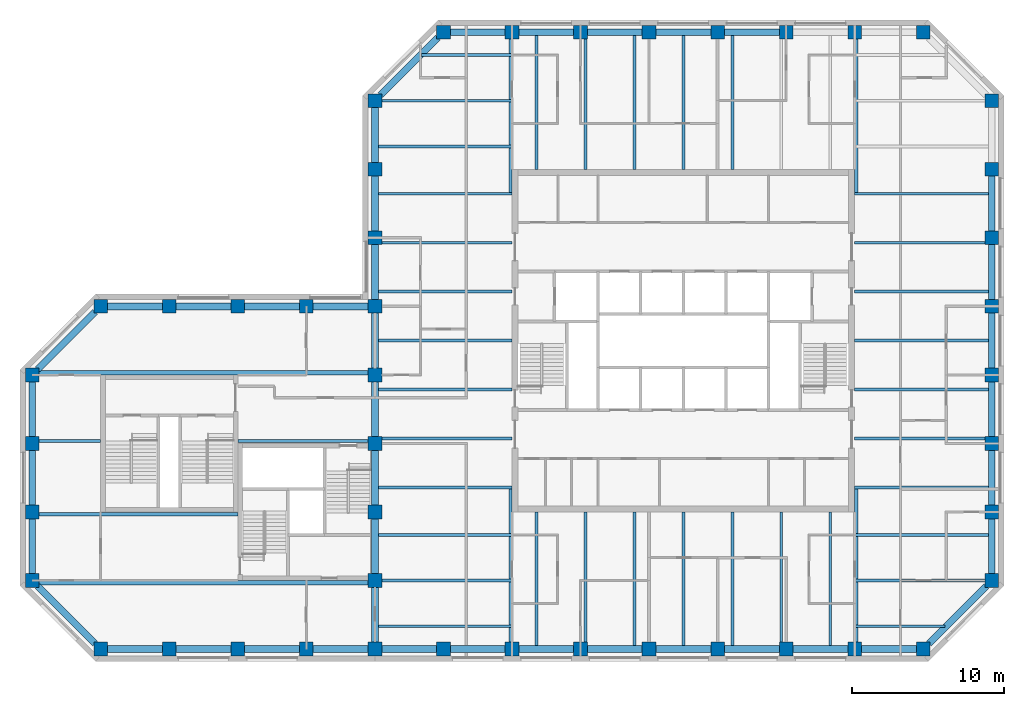
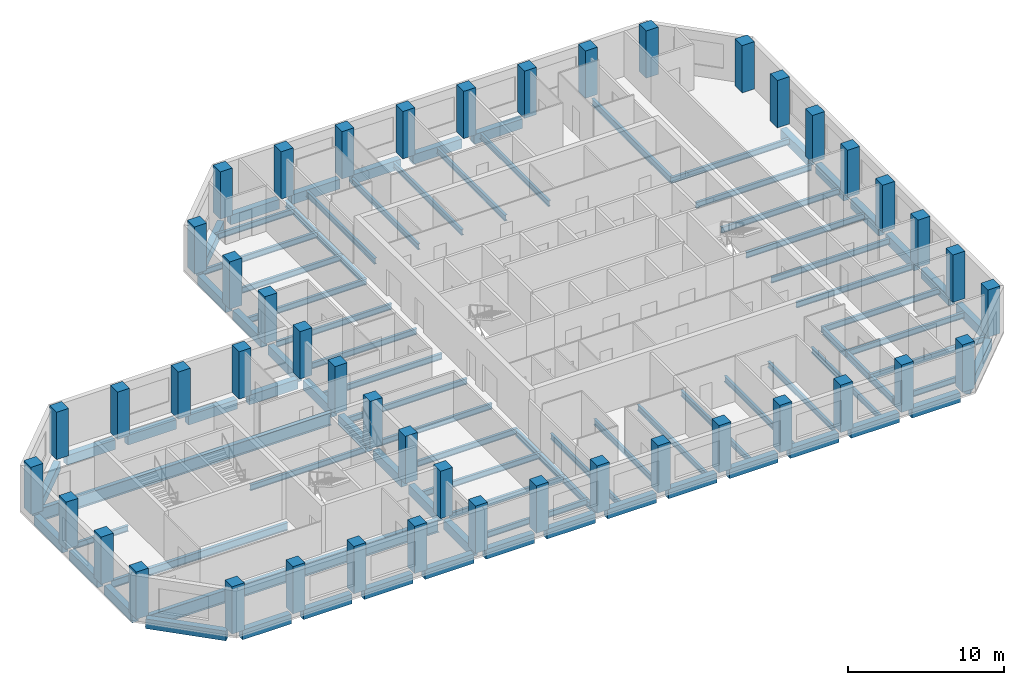
# One storey, part 1 of 10: 86 beams, 45 columns.
"""IFC4 building model written with IfcOpenShell, lengths in metres."""

from ifc_helpers import new_model, si_unit, direction, frame, origin, origin_2d, place, context, subcontext, project, spatial, rectangle, i_section, extrude, material, material_profile, profile_set, type_object, element, save


model = new_model("IFC4")

# Units and contexts
model_context = context("Model", 3, precision=1e-05, world=origin(), true_north=direction((0.0, 1.0)))
body_context = subcontext(model_context, "Body", "Model", "MODEL_VIEW")
ifc_project = project(units=[si_unit("LENGTHUNIT", "METRE"), si_unit("AREAUNIT", "SQUARE_METRE"), si_unit("VOLUMEUNIT", "CUBIC_METRE"), si_unit("PLANEANGLEUNIT", "RADIAN"), si_unit("MASSUNIT", "GRAM", prefix="KILO")], contexts=[model_context])

# Site, building, storey
site_placement = place(None, origin())
site = spatial("IfcSite", under=ifc_project, at=site_placement, CompositionType="ELEMENT")
building_placement = place(site_placement, origin())
building = spatial("IfcBuilding", under=site, at=building_placement, Name="Quoin Convention Tower", CompositionType="ELEMENT")
storey_placement = place(building_placement, frame((0.0, 0.0, 195.800048828125)))
storey = spatial("IfcBuildingStorey", under=building, at=storey_placement, Name="L51", CompositionType="ELEMENT", Elevation=195.800048828125)

# Columns
ifc_material_1 = material(Name="Concrete C50", Category="concrete")
ifc_material_profile_1 = material_profile(ifc_material_1, rectangle(XDim=0.89990234375, YDim=0.89990234375, at=origin_2d()), Name="RC 900x900")
ifc_profile_set_1 = profile_set([ifc_material_profile_1], Name="Concrete C50")
column_type = type_object("IfcColumnType", Name="RC 900x900 C50", PredefinedType="COLUMN", material=ifc_profile_set_1)
for number, where, z_axis, x_axis, name in (
    (1, (18.0, 40.5, 0.0), (0.0, 0.0, 1.0), (1.0, 0.0, 0.0), "col-L51-18000_40500"),
    (2, (22.5, 40.5, 0.0), (0.0, 0.0, 1.0), (1.0, 0.0, 0.0), "col-L51-22500_40500"),
    (3, (27.0, 40.5, 0.0), (0.0, 0.0, 1.0), (1.0, 0.0, 0.0), "col-L51-27000_40500"),
    (4, (31.5, 40.5, 0.0), (0.0, 0.0, 1.0), (1.0, 0.0, 0.0), "col-L51-31500_40500"),
    (5, (36.0, 40.5, 0.0), (0.0, 0.0, 1.0), (1.0, 0.0, 0.0), "col-L51-36000_40500"),
    (6, (40.5, 40.5, 0.0), (0.0, 0.0, 1.0), (1.0, 0.0, 0.0), "col-L51-40500_40500"),
    (7, (45.0, 40.5, 0.0), (0.0, 0.0, 1.0), (1.0, 0.0, 0.0), "col-L51-45000_40500"),
    (8, (49.5, 40.5, 0.0), (0.0, 0.0, 1.0), (1.0, 0.0, 0.0), "col-L51-49500_40500"),
    (9, (54.0, 40.5, 0.0), (0.0, 0.0, 1.0), (1.0, 0.0, 0.0), "col-L51-54000_40500"),
    (10, (58.5, 40.5, 0.0), (0.0, 0.0, 1.0), (1.0, 0.0, 0.0), "col-L51-58500_40500"),
    (11, (63.0, 40.5, 0.0), (0.0, 0.0, 1.0), (1.0, 0.0, 0.0), "col-L51-63000_40500"),
    (12, (67.5, 40.5, 0.0), (0.0, 0.0, 1.0), (1.0, 0.0, 0.0), "col-L51-67500_40500"),
    (13, (72.0, 40.5, 0.0), (0.0, 0.0, 1.0), (1.0, 0.0, 0.0), "col-L51-72000_40500"),
    (14, (13.5, 45.0, 0.0), (0.0, 0.0, 1.0), (1.0, 0.0, 0.0), "col-L51-13500_45000"),
    (15, (36.0, 45.0, 0.0), (0.0, 0.0, 1.0), (1.0, 0.0, 0.0), "web-L51-36000_45000"),
    (16, (76.5, 45.0, 0.0), (0.0, 0.0, 1.0), (1.0, 0.0, 0.0), "col-L51-76500_45000"),
    (17, (13.5, 49.5, 0.0), (0.0, 0.0, 1.0), (1.0, 0.0, 0.0), "col-L51-13500_49500"),
    (18, (36.0, 49.5, 0.0), (0.0, 0.0, 1.0), (1.0, 0.0, 0.0), "web-L51-36000_49500"),
    (19, (76.5, 49.5, 0.0), (0.0, 0.0, 1.0), (1.0, 0.0, 0.0), "col-L51-76500_49500"),
    (20, (13.5, 54.0, 0.0), (0.0, 0.0, 1.0), (1.0, 0.0, 0.0), "col-L51-13500_54000"),
    (21, (36.0, 54.0, 0.0), (0.0, 0.0, 1.0), (1.0, 0.0, 0.0), "web-L51-36000_54000"),
    (22, (76.5, 54.0, 0.0), (0.0, 0.0, 1.0), (1.0, 0.0, 0.0), "col-L51-76500_54000"),
    (23, (13.5, 58.5, 0.0), (0.0, 0.0, 1.0), (1.0, 0.0, 0.0), "col-L51-13500_58500"),
    (24, (36.0, 58.5, 0.0), (0.0, 0.0, 1.0), (1.0, 0.0, 0.0), "web-L51-36000_58500"),
    (25, (76.5, 58.5, 0.0), (0.0, 0.0, 1.0), (1.0, 0.0, 0.0), "col-L51-76500_58500"),
    (26, (18.0, 63.0, 0.0), (0.0, 0.0, 1.0), (1.0, 0.0, 0.0), "col-L51-18000_63000"),
    (27, (22.5, 63.0, 0.0), (0.0, 0.0, 1.0), (1.0, 0.0, 0.0), "col-L51-22500_63000"),
    (28, (27.0, 63.0, 0.0), (0.0, 0.0, 1.0), (1.0, 0.0, 0.0), "col-L51-27000_63000"),
    (29, (31.5, 63.0, 0.0), (0.0, 0.0, 1.0), (1.0, 0.0, 0.0), "col-L51-31500_63000"),
    (30, (36.0, 63.0, 0.0), (0.0, 0.0, 1.0), (1.0, 0.0, 0.0), "col-L51-36000_63000"),
    (31, (76.5, 63.0, 0.0), (0.0, 0.0, 1.0), (1.0, 0.0, 0.0), "col-L51-76500_63000"),
    (32, (36.0, 67.5, 0.0), (0.0, 0.0, 1.0), (1.0, 0.0, 0.0), "col-L51-36000_67500"),
    (33, (76.5, 67.5, 0.0), (0.0, 0.0, 1.0), (1.0, 0.0, 0.0), "col-L51-76500_67500"),
    (34, (36.0, 72.0, 0.0), (0.0, 0.0, 1.0), (1.0, 0.0, 0.0), "col-L51-36000_72000"),
    (35, (76.5, 72.0, 0.0), (0.0, 0.0, 1.0), (1.0, 0.0, 0.0), "col-L51-76500_72000"),
    (36, (36.0, 76.5, 0.0), (0.0, 0.0, 1.0), (1.0, 0.0, 0.0), "col-L51-36000_76500"),
    (37, (76.5, 76.5, 0.0), (0.0, 0.0, 1.0), (1.0, 0.0, 0.0), "col-L51-76500_76500"),
    (38, (40.5, 81.0, 0.0), (0.0, 0.0, 1.0), (1.0, 0.0, 0.0), "col-L51-40500_81000"),
    (39, (45.0, 81.0, 0.0), (0.0, 0.0, 1.0), (1.0, 0.0, 0.0), "col-L51-45000_81000"),
    (40, (49.5, 81.0, 0.0), (0.0, 0.0, 1.0), (1.0, 0.0, 0.0), "col-L51-49500_81000"),
    (41, (54.0, 81.0, 0.0), (0.0, 0.0, 1.0), (1.0, 0.0, 0.0), "col-L51-54000_81000"),
    (42, (58.5, 81.0, 0.0), (0.0, 0.0, 1.0), (1.0, 0.0, 0.0), "col-L51-58500_81000"),
    (43, (63.0, 81.0, 0.0), (0.0, 0.0, 1.0), (1.0, 0.0, 0.0), "col-L51-63000_81000"),
    (44, (67.5, 81.0, 0.0), (0.0, 0.0, 1.0), (1.0, 0.0, 0.0), "col-L51-67500_81000"),
    (45, (72.0, 81.0, 0.0), (0.0, 0.0, 1.0), (1.0, 0.0, 0.0), "col-L51-72000_81000"),
):
    element("IfcColumn", number, at=place(storey_placement, frame(where, z_axis=z_axis, x_axis=x_axis)), inside=storey, type_object=column_type, Name=name, PredefinedType="COLUMN", context=body_context, shape_type="SweptSolid", body=[
        extrude(rectangle(XDim=0.89990234375, YDim=0.89990234375, at=origin_2d()), origin(), (0.0, 0.0, 1.0), 3.699951171875),
    ])

# Beams
ifc_material_2 = material(Name="Steel Grade 300", Category="steel")
ifc_material_profile_2 = material_profile(ifc_material_2, i_section(OverallWidth=0.300048828125, OverallDepth=1.0, WebThickness=0.01611328125, FlangeThickness=0.02001953125, at=origin_2d()), Name="1000WB215")
ifc_profile_set_2 = profile_set([ifc_material_profile_2], Name="Steel Grade 300")
beam_type_1 = type_object("IfcBeamType", Name="1000WB215", PredefinedType="BEAM", material=ifc_profile_set_2)
for number, where, z_axis, x_axis, name in (
    (46, (13.949951171875, 44.85009765625, -0.650146484375), (1.0, 0.0, 0.0), (0.0, 1.0, 0.0), "gir-L51-ST2-1-0"),
    (47, (13.949951171875, 58.64990234375, -0.650146484375), (1.0, 0.0, 0.0), (0.0, 1.0, 0.0), "gir-L51-ST2-4-0"),
):
    element("IfcBeam", number, at=place(storey_placement, frame(where, z_axis=z_axis, x_axis=x_axis)), inside=storey, type_object=beam_type_1, Name=name, PredefinedType="BEAM", context=body_context, shape_type="SweptSolid", body=[
        extrude(i_section(OverallWidth=0.300048828125, OverallDepth=1.0, WebThickness=0.01611328125, FlangeThickness=0.02001953125, at=origin_2d()), origin(), (0.0, 0.0, 1.0), 21.60009765625),
    ])
ifc_material_profile_3 = material_profile(ifc_material_2, i_section(OverallWidth=0.18994140625, OverallDepth=0.4541015625, WebThickness=0.008544921875, FlangeThickness=0.0126953125, FilletRadius=0.011474609375, at=origin_2d()), Name="460UB67.1")
ifc_profile_set_3 = profile_set([ifc_material_profile_3], Name="Steel Grade 300")
beam_type_2 = type_object("IfcBeamType", Name="460UB67.1", PredefinedType="BEAM", material=ifc_profile_set_3)
beam_1_placement = place(storey_placement, frame((36.22509765625, 51.107177734375, -0.376953125), z_axis=(1.0, 0.0, 0.0), x_axis=(0.0, 1.0, 0.0)))
element("IfcBeam", 48, at=beam_1_placement, inside=storey, type_object=beam_type_2, Name="bm-L51-T1W0", PredefinedType="BEAM", context=body_context, shape_type="SweptSolid", body=[
    extrude(i_section(OverallWidth=0.18994140625, OverallDepth=0.4541015625, WebThickness=0.008544921875, FlangeThickness=0.0126953125, FilletRadius=0.011474609375, at=origin_2d()), origin(), (0.0, 0.0, 1.0), 8.77490234375),
])
beam_2_placement = place(storey_placement, frame((36.449951171875, 54.3212890625, -0.376953125), z_axis=(1.0, 0.0, 0.0), x_axis=(0.0, 1.0, 0.0)))
element("IfcBeam", 49, at=beam_2_placement, inside=storey, type_object=beam_type_2, Name="bm-L51-T1W1", PredefinedType="BEAM", context=body_context, shape_type="SweptSolid", body=[
    extrude(i_section(OverallWidth=0.18994140625, OverallDepth=0.4541015625, WebThickness=0.008544921875, FlangeThickness=0.0126953125, FilletRadius=0.011474609375, at=origin_2d()), origin(), (0.0, 0.0, 1.0), 8.550048828125),
])
for number, where, z_axis, x_axis, name in (
    (50, (36.22509765625, 57.53564453125, -0.376953125), (1.0, 0.0, 0.0), (0.0, 1.0, 0.0), "bm-L51-T1W2"),
    (51, (36.22509765625, 60.75, -0.376953125), (1.0, 0.0, 0.0), (0.0, 1.0, 0.0), "bm-L51-T1W3"),
    (52, (36.22509765625, 63.96435546875, -0.376953125), (1.0, 0.0, 0.0), (0.0, 1.0, 0.0), "bm-L51-T1W4"),
):
    element("IfcBeam", number, at=place(storey_placement, frame(where, z_axis=z_axis, x_axis=x_axis)), inside=storey, type_object=beam_type_2, Name=name, PredefinedType="BEAM", context=body_context, shape_type="SweptSolid", body=[
        extrude(i_section(OverallWidth=0.18994140625, OverallDepth=0.4541015625, WebThickness=0.008544921875, FlangeThickness=0.0126953125, FilletRadius=0.011474609375, at=origin_2d()), origin(), (0.0, 0.0, 1.0), 8.77490234375),
    ])
beam_3_placement = place(storey_placement, frame((36.449951171875, 67.1787109375, -0.376953125), z_axis=(1.0, 0.0, 0.0), x_axis=(0.0, 1.0, 0.0)))
element("IfcBeam", 53, at=beam_3_placement, inside=storey, type_object=beam_type_2, Name="bm-L51-T1W5", PredefinedType="BEAM", context=body_context, shape_type="SweptSolid", body=[
    extrude(i_section(OverallWidth=0.18994140625, OverallDepth=0.4541015625, WebThickness=0.008544921875, FlangeThickness=0.0126953125, FilletRadius=0.011474609375, at=origin_2d()), origin(), (0.0, 0.0, 1.0), 8.550048828125),
])
for number, where, z_axis, x_axis, name in (
    (54, (36.22509765625, 70.392822265625, -0.376953125), (1.0, 0.0, 0.0), (0.0, 1.0, 0.0), "bm-L51-T1W6"),
    (55, (67.5, 51.107177734375, -0.376953125), (1.0, 0.0, 0.0), (0.0, 1.0, 0.0), "bm-L51-T1E0"),
):
    element("IfcBeam", number, at=place(storey_placement, frame(where, z_axis=z_axis, x_axis=x_axis)), inside=storey, type_object=beam_type_2, Name=name, PredefinedType="BEAM", context=body_context, shape_type="SweptSolid", body=[
        extrude(i_section(OverallWidth=0.18994140625, OverallDepth=0.4541015625, WebThickness=0.008544921875, FlangeThickness=0.0126953125, FilletRadius=0.011474609375, at=origin_2d()), origin(), (0.0, 0.0, 1.0), 8.77490234375),
    ])
beam_4_placement = place(storey_placement, frame((67.5, 54.3212890625, -0.376953125), z_axis=(1.0, 0.0, 0.0), x_axis=(0.0, 1.0, 0.0)))
element("IfcBeam", 56, at=beam_4_placement, inside=storey, type_object=beam_type_2, Name="bm-L51-T1E1", PredefinedType="BEAM", context=body_context, shape_type="SweptSolid", body=[
    extrude(i_section(OverallWidth=0.18994140625, OverallDepth=0.4541015625, WebThickness=0.008544921875, FlangeThickness=0.0126953125, FilletRadius=0.011474609375, at=origin_2d()), origin(), (0.0, 0.0, 1.0), 8.550048828125),
])
for number, where, z_axis, x_axis, name in (
    (57, (67.5, 57.53564453125, -0.376953125), (1.0, 0.0, 0.0), (0.0, 1.0, 0.0), "bm-L51-T1E2"),
    (58, (67.5, 60.75, -0.376953125), (1.0, 0.0, 0.0), (0.0, 1.0, 0.0), "bm-L51-T1E3"),
    (59, (67.5, 63.96435546875, -0.376953125), (1.0, 0.0, 0.0), (0.0, 1.0, 0.0), "bm-L51-T1E4"),
):
    element("IfcBeam", number, at=place(storey_placement, frame(where, z_axis=z_axis, x_axis=x_axis)), inside=storey, type_object=beam_type_2, Name=name, PredefinedType="BEAM", context=body_context, shape_type="SweptSolid", body=[
        extrude(i_section(OverallWidth=0.18994140625, OverallDepth=0.4541015625, WebThickness=0.008544921875, FlangeThickness=0.0126953125, FilletRadius=0.011474609375, at=origin_2d()), origin(), (0.0, 0.0, 1.0), 8.77490234375),
    ])
beam_5_placement = place(storey_placement, frame((67.5, 67.1787109375, -0.376953125), z_axis=(1.0, 0.0, 0.0), x_axis=(0.0, 1.0, 0.0)))
element("IfcBeam", 60, at=beam_5_placement, inside=storey, type_object=beam_type_2, Name="bm-L51-T1E5", PredefinedType="BEAM", context=body_context, shape_type="SweptSolid", body=[
    extrude(i_section(OverallWidth=0.18994140625, OverallDepth=0.4541015625, WebThickness=0.008544921875, FlangeThickness=0.0126953125, FilletRadius=0.011474609375, at=origin_2d()), origin(), (0.0, 0.0, 1.0), 8.550048828125),
])
for number, where, z_axis, x_axis, name in (
    (61, (67.5, 70.392822265625, -0.376953125), (1.0, 0.0, 0.0), (0.0, 1.0, 0.0), "bm-L51-T1E6"),
    (62, (46.607177734375, 40.72509765625, -0.376953125), (0.0, 1.0, 0.0), (-1.0, 0.0, 0.0), "bm-L51-T1S0"),
):
    element("IfcBeam", number, at=place(storey_placement, frame(where, z_axis=z_axis, x_axis=x_axis)), inside=storey, type_object=beam_type_2, Name=name, PredefinedType="BEAM", context=body_context, shape_type="SweptSolid", body=[
        extrude(i_section(OverallWidth=0.18994140625, OverallDepth=0.4541015625, WebThickness=0.008544921875, FlangeThickness=0.0126953125, FilletRadius=0.011474609375, at=origin_2d()), origin(), (0.0, 0.0, 1.0), 8.77490234375),
    ])
beam_6_placement = place(storey_placement, frame((49.8212890625, 40.949951171875, -0.376953125), z_axis=(0.0, 1.0, 0.0), x_axis=(-1.0, 0.0, 0.0)))
element("IfcBeam", 63, at=beam_6_placement, inside=storey, type_object=beam_type_2, Name="bm-L51-T1S1", PredefinedType="BEAM", context=body_context, shape_type="SweptSolid", body=[
    extrude(i_section(OverallWidth=0.18994140625, OverallDepth=0.4541015625, WebThickness=0.008544921875, FlangeThickness=0.0126953125, FilletRadius=0.011474609375, at=origin_2d()), origin(), (0.0, 0.0, 1.0), 8.550048828125),
])
for number, where, z_axis, x_axis, name in (
    (64, (53.03564453125, 40.72509765625, -0.376953125), (0.0, 1.0, 0.0), (-1.0, 0.0, 0.0), "bm-L51-T1S2"),
    (65, (56.25, 40.72509765625, -0.376953125), (0.0, 1.0, 0.0), (-1.0, 0.0, 0.0), "bm-L51-T1S3"),
    (66, (59.46435546875, 40.72509765625, -0.376953125), (0.0, 1.0, 0.0), (-1.0, 0.0, 0.0), "bm-L51-T1S4"),
):
    element("IfcBeam", number, at=place(storey_placement, frame(where, z_axis=z_axis, x_axis=x_axis)), inside=storey, type_object=beam_type_2, Name=name, PredefinedType="BEAM", context=body_context, shape_type="SweptSolid", body=[
        extrude(i_section(OverallWidth=0.18994140625, OverallDepth=0.4541015625, WebThickness=0.008544921875, FlangeThickness=0.0126953125, FilletRadius=0.011474609375, at=origin_2d()), origin(), (0.0, 0.0, 1.0), 8.77490234375),
    ])
beam_7_placement = place(storey_placement, frame((62.6787109375, 40.949951171875, -0.376953125), z_axis=(0.0, 1.0, 0.0), x_axis=(-1.0, 0.0, 0.0)))
element("IfcBeam", 67, at=beam_7_placement, inside=storey, type_object=beam_type_2, Name="bm-L51-T1S5", PredefinedType="BEAM", context=body_context, shape_type="SweptSolid", body=[
    extrude(i_section(OverallWidth=0.18994140625, OverallDepth=0.4541015625, WebThickness=0.008544921875, FlangeThickness=0.0126953125, FilletRadius=0.011474609375, at=origin_2d()), origin(), (0.0, 0.0, 1.0), 8.550048828125),
])
for number, where, z_axis, x_axis, name in (
    (68, (65.892822265625, 40.72509765625, -0.376953125), (0.0, 1.0, 0.0), (-1.0, 0.0, 0.0), "bm-L51-T1S6"),
    (69, (46.607177734375, 72.0, -0.376953125), (0.0, 1.0, 0.0), (-1.0, 0.0, 0.0), "bm-L51-T1N0"),
):
    element("IfcBeam", number, at=place(storey_placement, frame(where, z_axis=z_axis, x_axis=x_axis)), inside=storey, type_object=beam_type_2, Name=name, PredefinedType="BEAM", context=body_context, shape_type="SweptSolid", body=[
        extrude(i_section(OverallWidth=0.18994140625, OverallDepth=0.4541015625, WebThickness=0.008544921875, FlangeThickness=0.0126953125, FilletRadius=0.011474609375, at=origin_2d()), origin(), (0.0, 0.0, 1.0), 8.77490234375),
    ])
beam_8_placement = place(storey_placement, frame((49.8212890625, 72.0, -0.376953125), z_axis=(0.0, 1.0, 0.0), x_axis=(-1.0, 0.0, 0.0)))
element("IfcBeam", 70, at=beam_8_placement, inside=storey, type_object=beam_type_2, Name="bm-L51-T1N1", PredefinedType="BEAM", context=body_context, shape_type="SweptSolid", body=[
    extrude(i_section(OverallWidth=0.18994140625, OverallDepth=0.4541015625, WebThickness=0.008544921875, FlangeThickness=0.0126953125, FilletRadius=0.011474609375, at=origin_2d()), origin(), (0.0, 0.0, 1.0), 8.550048828125),
])
for number, where, z_axis, x_axis, name in (
    (71, (53.03564453125, 72.0, -0.376953125), (0.0, 1.0, 0.0), (-1.0, 0.0, 0.0), "bm-L51-T1N2"),
    (72, (56.25, 72.0, -0.376953125), (0.0, 1.0, 0.0), (-1.0, 0.0, 0.0), "bm-L51-T1N3"),
    (73, (59.46435546875, 72.0, -0.376953125), (0.0, 1.0, 0.0), (-1.0, 0.0, 0.0), "bm-L51-T1N4"),
    (74, (36.22509765625, 42.0, -0.376953125), (1.0, 0.0, 0.0), (0.0, 1.0, 0.0), "bm-L51-T1SW0"),
):
    element("IfcBeam", number, at=place(storey_placement, frame(where, z_axis=z_axis, x_axis=x_axis)), inside=storey, type_object=beam_type_2, Name=name, PredefinedType="BEAM", context=body_context, shape_type="SweptSolid", body=[
        extrude(i_section(OverallWidth=0.18994140625, OverallDepth=0.4541015625, WebThickness=0.008544921875, FlangeThickness=0.0126953125, FilletRadius=0.011474609375, at=origin_2d()), origin(), (0.0, 0.0, 1.0), 8.77490234375),
    ])
beam_9_placement = place(storey_placement, frame((36.449951171875, 45.0, -0.376953125), z_axis=(1.0, 0.0, 0.0), x_axis=(0.0, 1.0, 0.0)))
element("IfcBeam", 75, at=beam_9_placement, inside=storey, type_object=beam_type_2, Name="bm-L51-T1SW1", PredefinedType="BEAM", context=body_context, shape_type="SweptSolid", body=[
    extrude(i_section(OverallWidth=0.18994140625, OverallDepth=0.4541015625, WebThickness=0.008544921875, FlangeThickness=0.0126953125, FilletRadius=0.011474609375, at=origin_2d()), origin(), (0.0, 0.0, 1.0), 8.550048828125),
])
beam_10_placement = place(storey_placement, frame((36.22509765625, 48.0, -0.376953125), z_axis=(1.0, 0.0, 0.0), x_axis=(0.0, 1.0, 0.0)))
element("IfcBeam", 76, at=beam_10_placement, inside=storey, type_object=beam_type_2, Name="bm-L51-T1SW2", PredefinedType="BEAM", context=body_context, shape_type="SweptSolid", body=[
    extrude(i_section(OverallWidth=0.18994140625, OverallDepth=0.4541015625, WebThickness=0.008544921875, FlangeThickness=0.0126953125, FilletRadius=0.011474609375, at=origin_2d()), origin(), (0.0, 0.0, 1.0), 8.77490234375),
])
beam_11_placement = place(storey_placement, frame((67.5, 42.0, -0.376953125), z_axis=(1.0, 0.0, 0.0), x_axis=(0.0, 1.0, 0.0)))
element("IfcBeam", 77, at=beam_11_placement, inside=storey, type_object=beam_type_2, Name="bm-L51-T1SE0", PredefinedType="BEAM", context=body_context, shape_type="SweptSolid", body=[
    extrude(i_section(OverallWidth=0.18994140625, OverallDepth=0.4541015625, WebThickness=0.008544921875, FlangeThickness=0.0126953125, FilletRadius=0.011474609375, at=origin_2d()), origin(), (0.0, 0.0, 1.0), 5.935791015625),
])
beam_12_placement = place(storey_placement, frame((67.5, 45.0, -0.376953125), z_axis=(1.0, 0.0, 0.0), x_axis=(0.0, 1.0, 0.0)))
element("IfcBeam", 78, at=beam_12_placement, inside=storey, type_object=beam_type_2, Name="bm-L51-T1SE1", PredefinedType="BEAM", context=body_context, shape_type="SweptSolid", body=[
    extrude(i_section(OverallWidth=0.18994140625, OverallDepth=0.4541015625, WebThickness=0.008544921875, FlangeThickness=0.0126953125, FilletRadius=0.011474609375, at=origin_2d()), origin(), (0.0, 0.0, 1.0), 8.550048828125),
])
beam_13_placement = place(storey_placement, frame((67.5, 48.0, -0.376953125), z_axis=(1.0, 0.0, 0.0), x_axis=(0.0, 1.0, 0.0)))
element("IfcBeam", 79, at=beam_13_placement, inside=storey, type_object=beam_type_2, Name="bm-L51-T1SE2", PredefinedType="BEAM", context=body_context, shape_type="SweptSolid", body=[
    extrude(i_section(OverallWidth=0.18994140625, OverallDepth=0.4541015625, WebThickness=0.008544921875, FlangeThickness=0.0126953125, FilletRadius=0.011474609375, at=origin_2d()), origin(), (0.0, 0.0, 1.0), 8.77490234375),
])
beam_14_placement = place(storey_placement, frame((39.064208984375, 79.5, -0.376953125), z_axis=(1.0, 0.0, 0.0), x_axis=(0.0, 1.0, 0.0)))
element("IfcBeam", 80, at=beam_14_placement, inside=storey, type_object=beam_type_2, Name="bm-L51-T1NW0", PredefinedType="BEAM", context=body_context, shape_type="SweptSolid", body=[
    extrude(i_section(OverallWidth=0.18994140625, OverallDepth=0.4541015625, WebThickness=0.008544921875, FlangeThickness=0.0126953125, FilletRadius=0.011474609375, at=origin_2d()), origin(), (0.0, 0.0, 1.0), 5.935791015625),
])
beam_15_placement = place(storey_placement, frame((36.449951171875, 76.5, -0.376953125), z_axis=(1.0, 0.0, 0.0), x_axis=(0.0, 1.0, 0.0)))
element("IfcBeam", 81, at=beam_15_placement, inside=storey, type_object=beam_type_2, Name="bm-L51-T1NW1", PredefinedType="BEAM", context=body_context, shape_type="SweptSolid", body=[
    extrude(i_section(OverallWidth=0.18994140625, OverallDepth=0.4541015625, WebThickness=0.008544921875, FlangeThickness=0.0126953125, FilletRadius=0.011474609375, at=origin_2d()), origin(), (0.0, 0.0, 1.0), 8.550048828125),
])
beam_16_placement = place(storey_placement, frame((36.22509765625, 73.5, -0.376953125), z_axis=(1.0, 0.0, 0.0), x_axis=(0.0, 1.0, 0.0)))
element("IfcBeam", 82, at=beam_16_placement, inside=storey, type_object=beam_type_2, Name="bm-L51-T1NW2", PredefinedType="BEAM", context=body_context, shape_type="SweptSolid", body=[
    extrude(i_section(OverallWidth=0.18994140625, OverallDepth=0.4541015625, WebThickness=0.008544921875, FlangeThickness=0.0126953125, FilletRadius=0.011474609375, at=origin_2d()), origin(), (0.0, 0.0, 1.0), 8.77490234375),
])
beam_17_placement = place(storey_placement, frame((13.949951171875, 54.14990234375, -0.376953125), z_axis=(1.0, 0.0, 0.0), x_axis=(0.0, 1.0, 0.0)))
element("IfcBeam", 83, at=beam_17_placement, inside=storey, type_object=beam_type_2, Name="gir-L51-ST2-3-0", PredefinedType="BEAM", context=body_context, shape_type="SweptSolid", body=[
    extrude(i_section(OverallWidth=0.18994140625, OverallDepth=0.4541015625, WebThickness=0.008544921875, FlangeThickness=0.0126953125, FilletRadius=0.011474609375, at=origin_2d()), origin(), (0.0, 0.0, 1.0), 4.050048828125),
])
beam_18_placement = place(storey_placement, frame((27.0, 54.14990234375, -0.376953125), z_axis=(1.0, 0.0, 0.0), x_axis=(0.0, 1.0, 0.0)))
element("IfcBeam", 84, at=beam_18_placement, inside=storey, type_object=beam_type_2, Name="gir-L51-ST2-3-1", PredefinedType="BEAM", context=body_context, shape_type="SweptSolid", body=[
    extrude(i_section(OverallWidth=0.18994140625, OverallDepth=0.4541015625, WebThickness=0.008544921875, FlangeThickness=0.0126953125, FilletRadius=0.011474609375, at=origin_2d()), origin(), (0.0, 0.0, 1.0), 8.550048828125),
])
ifc_material_profile_4 = material_profile(ifc_material_2, i_section(OverallWidth=0.208984375, OverallDepth=0.528076171875, WebThickness=0.009521484375, FlangeThickness=0.01318359375, FilletRadius=0.013916015625, at=origin_2d()), Name="530UB82.0")
ifc_profile_set_4 = profile_set([ifc_material_profile_4], Name="Steel Grade 300")
beam_type_3 = type_object("IfcBeamType", Name="530UB82.0", PredefinedType="BEAM", material=ifc_profile_set_4)
for number, where, z_axis, x_axis, name in (
    (85, (44.904541015625, 40.949951171875, -0.4140625), (0.0, 1.0, 0.0), (-1.0, 0.0, 0.0), "gir-L51-T1SW"),
    (86, (67.595458984375, 40.949951171875, -0.4140625), (0.0, 1.0, 0.0), (-1.0, 0.0, 0.0), "gir-L51-T1SE"),
    (87, (44.904541015625, 80.550048828125, -0.4140625), (0.0, -1.0, 0.0), (1.0, 0.0, 0.0), "gir-L51-T1NW"),
    (88, (67.595458984375, 80.550048828125, -0.4140625), (0.0, -1.0, 0.0), (1.0, 0.0, 0.0), "gir-L51-T1NE"),
):
    element("IfcBeam", number, at=place(storey_placement, frame(where, z_axis=z_axis, x_axis=x_axis)), inside=storey, type_object=beam_type_3, Name=name, PredefinedType="BEAM", context=body_context, shape_type="SweptSolid", body=[
        extrude(i_section(OverallWidth=0.208984375, OverallDepth=0.528076171875, WebThickness=0.009521484375, FlangeThickness=0.01318359375, FilletRadius=0.013916015625, at=origin_2d()), origin(), (0.0, 0.0, 1.0), 10.062255859375),
    ])
ifc_material_profile_5 = material_profile(ifc_material_2, i_section(OverallWidth=0.22802734375, OverallDepth=0.60205078125, WebThickness=0.010498046875, FlangeThickness=0.014892578125, FilletRadius=0.013916015625, at=origin_2d()), Name="610UB101")
ifc_profile_set_5 = profile_set([ifc_material_profile_5], Name="Steel Grade 300")
beam_type_4 = type_object("IfcBeamType", Name="610UB101", PredefinedType="BEAM", material=ifc_profile_set_5)
beam_19_placement = place(storey_placement, frame((13.949951171875, 49.35009765625, -0.450927734375), z_axis=(1.0, 0.0, 0.0), x_axis=(0.0, 1.0, 0.0)))
element("IfcBeam", 89, at=beam_19_placement, inside=storey, type_object=beam_type_4, Name="gir-L51-ST2-2-0", PredefinedType="BEAM", context=body_context, shape_type="SweptSolid", body=[
    extrude(i_section(OverallWidth=0.22802734375, OverallDepth=0.60205078125, WebThickness=0.010498046875, FlangeThickness=0.014892578125, FilletRadius=0.013916015625, at=origin_2d()), origin(), (0.0, 0.0, 1.0), 13.050048828125),
])
ifc_material_profile_6 = material_profile(ifc_material_1, rectangle(XDim=0.449951171875, YDim=0.75, at=origin_2d()), Name="RC 450x750")
ifc_profile_set_6 = profile_set([ifc_material_profile_6], Name="Concrete C50")
beam_type_5 = type_object("IfcBeamType", Name="RC 450x750 C50", PredefinedType="SPANDREL", material=ifc_profile_set_6)
for number, where, z_axis, x_axis, name in (
    (90, (36.449951171875, 40.5, -0.525146484375), (1.0, 0.0, 0.0), (0.0, 1.0, 0.0), "spd-L51-36000_40500-40500_40500"),
    (91, (40.949951171875, 40.5, -0.525146484375), (1.0, 0.0, 0.0), (0.0, 1.0, 0.0), "spd-L51-40500_40500-45000_40500"),
    (92, (45.449951171875, 40.5, -0.525146484375), (1.0, 0.0, 0.0), (0.0, 1.0, 0.0), "spd-L51-45000_40500-49500_40500"),
    (93, (49.949951171875, 40.5, -0.525146484375), (1.0, 0.0, 0.0), (0.0, 1.0, 0.0), "spd-L51-49500_40500-54000_40500"),
    (94, (54.449951171875, 40.5, -0.525146484375), (1.0, 0.0, 0.0), (0.0, 1.0, 0.0), "spd-L51-54000_40500-58500_40500"),
    (95, (58.949951171875, 40.5, -0.525146484375), (1.0, 0.0, 0.0), (0.0, 1.0, 0.0), "spd-L51-58500_40500-63000_40500"),
    (96, (63.449951171875, 40.5, -0.525146484375), (1.0, 0.0, 0.0), (0.0, 1.0, 0.0), "spd-L51-63000_40500-67500_40500"),
    (97, (67.949951171875, 40.5, -0.525146484375), (1.0, 0.0, 0.0), (0.0, 1.0, 0.0), "spd-L51-67500_40500-72000_40500"),
):
    element("IfcBeam", number, at=place(storey_placement, frame(where, z_axis=z_axis, x_axis=x_axis)), inside=storey, type_object=beam_type_5, Name=name, PredefinedType="SPANDREL", context=body_context, shape_type="SweptSolid", body=[
        extrude(rectangle(XDim=0.449951171875, YDim=0.75, at=origin_2d()), origin(), (0.0, 0.0, 1.0), 3.60009765625),
    ])
beam_20_placement = place(storey_placement, frame((72.364990234375, 40.864990234375, -0.525146484375), z_axis=(0.707106781187, 0.707106781187, 0.0), x_axis=(-0.707106781187, 0.707106781187, 0.0)))
element("IfcBeam", 98, at=beam_20_placement, inside=storey, type_object=beam_type_5, Name="spd-L51-72000_40500-76500_45000", PredefinedType="SPANDREL", context=body_context, shape_type="SweptSolid", body=[
    extrude(rectangle(XDim=0.449951171875, YDim=0.75, at=origin_2d()), origin(), (0.0, 0.0, 1.0), 5.33154296875),
])
for number, where, z_axis, x_axis, name in (
    (99, (76.5, 45.449951171875, -0.525146484375), (0.0, 1.0, 0.0), (-1.0, 0.0, 0.0), "spd-L51-76500_45000-76500_49500"),
    (100, (76.5, 49.949951171875, -0.525146484375), (0.0, 1.0, 0.0), (-1.0, 0.0, 0.0), "spd-L51-76500_49500-76500_54000"),
    (101, (76.5, 54.449951171875, -0.525146484375), (0.0, 1.0, 0.0), (-1.0, 0.0, 0.0), "spd-L51-76500_54000-76500_58500"),
    (102, (76.5, 58.949951171875, -0.525146484375), (0.0, 1.0, 0.0), (-1.0, 0.0, 0.0), "spd-L51-76500_58500-76500_63000"),
    (103, (76.5, 63.449951171875, -0.525146484375), (0.0, 1.0, 0.0), (-1.0, 0.0, 0.0), "spd-L51-76500_63000-76500_67500"),
    (104, (76.5, 67.949951171875, -0.525146484375), (0.0, 1.0, 0.0), (-1.0, 0.0, 0.0), "spd-L51-76500_67500-76500_72000"),
    (105, (62.550048828125, 81.0, -0.525146484375), (-1.0, 0.0, 0.0), (0.0, -1.0, 0.0), "spd-L51-63000_81000-58500_81000"),
    (106, (58.050048828125, 81.0, -0.525146484375), (-1.0, 0.0, 0.0), (0.0, -1.0, 0.0), "spd-L51-58500_81000-54000_81000"),
    (107, (53.550048828125, 81.0, -0.525146484375), (-1.0, 0.0, 0.0), (0.0, -1.0, 0.0), "spd-L51-54000_81000-49500_81000"),
    (108, (49.050048828125, 81.0, -0.525146484375), (-1.0, 0.0, 0.0), (0.0, -1.0, 0.0), "spd-L51-49500_81000-45000_81000"),
    (109, (44.550048828125, 81.0, -0.525146484375), (-1.0, 0.0, 0.0), (0.0, -1.0, 0.0), "spd-L51-45000_81000-40500_81000"),
):
    element("IfcBeam", number, at=place(storey_placement, frame(where, z_axis=z_axis, x_axis=x_axis)), inside=storey, type_object=beam_type_5, Name=name, PredefinedType="SPANDREL", context=body_context, shape_type="SweptSolid", body=[
        extrude(rectangle(XDim=0.449951171875, YDim=0.75, at=origin_2d()), origin(), (0.0, 0.0, 1.0), 3.60009765625),
    ])
beam_21_placement = place(storey_placement, frame((40.135009765625, 80.635009765625, -0.525146484375), z_axis=(-0.707106781187, -0.707106781187, 0.0), x_axis=(0.707106781187, -0.707106781187, 0.0)))
element("IfcBeam", 110, at=beam_21_placement, inside=storey, type_object=beam_type_5, Name="spd-L51-40500_81000-36000_76500", PredefinedType="SPANDREL", context=body_context, shape_type="SweptSolid", body=[
    extrude(rectangle(XDim=0.449951171875, YDim=0.75, at=origin_2d()), origin(), (0.0, 0.0, 1.0), 5.33154296875),
])
for number, where, z_axis, x_axis, name in (
    (111, (36.0, 76.050048828125, -0.525146484375), (0.0, -1.0, 0.0), (1.0, 0.0, 0.0), "spd-L51-36000_76500-36000_72000"),
    (112, (36.0, 71.550048828125, -0.525146484375), (0.0, -1.0, 0.0), (1.0, 0.0, 0.0), "spd-L51-36000_72000-36000_67500"),
    (113, (36.0, 67.050048828125, -0.525146484375), (0.0, -1.0, 0.0), (1.0, 0.0, 0.0), "spd-L51-36000_67500-36000_63000"),
    (114, (35.550048828125, 63.0, -0.525146484375), (-1.0, 0.0, 0.0), (0.0, -1.0, 0.0), "spd-L51-36000_63000-31500_63000"),
    (115, (31.050048828125, 63.0, -0.525146484375), (-1.0, 0.0, 0.0), (0.0, -1.0, 0.0), "spd-L51-31500_63000-27000_63000"),
    (116, (26.550048828125, 63.0, -0.525146484375), (-1.0, 0.0, 0.0), (0.0, -1.0, 0.0), "spd-L51-27000_63000-22500_63000"),
    (117, (22.050048828125, 63.0, -0.525146484375), (-1.0, 0.0, 0.0), (0.0, -1.0, 0.0), "spd-L51-22500_63000-18000_63000"),
):
    element("IfcBeam", number, at=place(storey_placement, frame(where, z_axis=z_axis, x_axis=x_axis)), inside=storey, type_object=beam_type_5, Name=name, PredefinedType="SPANDREL", context=body_context, shape_type="SweptSolid", body=[
        extrude(rectangle(XDim=0.449951171875, YDim=0.75, at=origin_2d()), origin(), (0.0, 0.0, 1.0), 3.60009765625),
    ])
beam_22_placement = place(storey_placement, frame((17.635009765625, 62.635009765625, -0.525146484375), z_axis=(-0.707106781187, -0.707106781187, 0.0), x_axis=(0.707106781187, -0.707106781187, 0.0)))
element("IfcBeam", 118, at=beam_22_placement, inside=storey, type_object=beam_type_5, Name="spd-L51-18000_63000-13500_58500", PredefinedType="SPANDREL", context=body_context, shape_type="SweptSolid", body=[
    extrude(rectangle(XDim=0.449951171875, YDim=0.75, at=origin_2d()), origin(), (0.0, 0.0, 1.0), 5.33154296875),
])
for number, where, z_axis, x_axis, name in (
    (119, (13.5, 58.050048828125, -0.525146484375), (0.0, -1.0, 0.0), (1.0, 0.0, 0.0), "spd-L51-13500_58500-13500_54000"),
    (120, (13.5, 53.550048828125, -0.525146484375), (0.0, -1.0, 0.0), (1.0, 0.0, 0.0), "spd-L51-13500_54000-13500_49500"),
    (121, (13.5, 49.050048828125, -0.525146484375), (0.0, -1.0, 0.0), (1.0, 0.0, 0.0), "spd-L51-13500_49500-13500_45000"),
):
    element("IfcBeam", number, at=place(storey_placement, frame(where, z_axis=z_axis, x_axis=x_axis)), inside=storey, type_object=beam_type_5, Name=name, PredefinedType="SPANDREL", context=body_context, shape_type="SweptSolid", body=[
        extrude(rectangle(XDim=0.449951171875, YDim=0.75, at=origin_2d()), origin(), (0.0, 0.0, 1.0), 3.60009765625),
    ])
beam_23_placement = place(storey_placement, frame((13.864990234375, 44.635009765625, -0.525146484375), z_axis=(0.707106781187, -0.707106781187, 0.0), x_axis=(0.707106781187, 0.707106781187, 0.0)))
element("IfcBeam", 122, at=beam_23_placement, inside=storey, type_object=beam_type_5, Name="spd-L51-13500_45000-18000_40500", PredefinedType="SPANDREL", context=body_context, shape_type="SweptSolid", body=[
    extrude(rectangle(XDim=0.449951171875, YDim=0.75, at=origin_2d()), origin(), (0.0, 0.0, 1.0), 5.33154296875),
])
for number, where, z_axis, x_axis, name in (
    (123, (18.449951171875, 40.5, -0.525146484375), (1.0, 0.0, 0.0), (0.0, 1.0, 0.0), "spd-L51-18000_40500-22500_40500"),
    (124, (22.949951171875, 40.5, -0.525146484375), (1.0, 0.0, 0.0), (0.0, 1.0, 0.0), "spd-L51-22500_40500-27000_40500"),
    (125, (27.449951171875, 40.5, -0.525146484375), (1.0, 0.0, 0.0), (0.0, 1.0, 0.0), "spd-L51-27000_40500-31500_40500"),
    (126, (31.949951171875, 40.5, -0.525146484375), (1.0, 0.0, 0.0), (0.0, 1.0, 0.0), "spd-L51-31500_40500-36000_40500"),
    (127, (36.0, 40.949951171875, -0.525146484375), (0.0, 1.0, 0.0), (-1.0, 0.0, 0.0), "spd-L51-36000_40500-36000_45000"),
    (128, (36.0, 45.449951171875, -0.525146484375), (0.0, 1.0, 0.0), (-1.0, 0.0, 0.0), "spd-L51-36000_45000-36000_49500"),
    (129, (36.0, 49.949951171875, -0.525146484375), (0.0, 1.0, 0.0), (-1.0, 0.0, 0.0), "spd-L51-36000_49500-36000_54000"),
    (130, (36.0, 54.449951171875, -0.525146484375), (0.0, 1.0, 0.0), (-1.0, 0.0, 0.0), "spd-L51-36000_54000-36000_58500"),
    (131, (36.0, 58.949951171875, -0.525146484375), (0.0, 1.0, 0.0), (-1.0, 0.0, 0.0), "spd-L51-36000_58500-36000_63000"),
):
    element("IfcBeam", number, at=place(storey_placement, frame(where, z_axis=z_axis, x_axis=x_axis)), inside=storey, type_object=beam_type_5, Name=name, PredefinedType="SPANDREL", context=body_context, shape_type="SweptSolid", body=[
        extrude(rectangle(XDim=0.449951171875, YDim=0.75, at=origin_2d()), origin(), (0.0, 0.0, 1.0), 3.60009765625),
    ])

save(model, "model.ifc")
